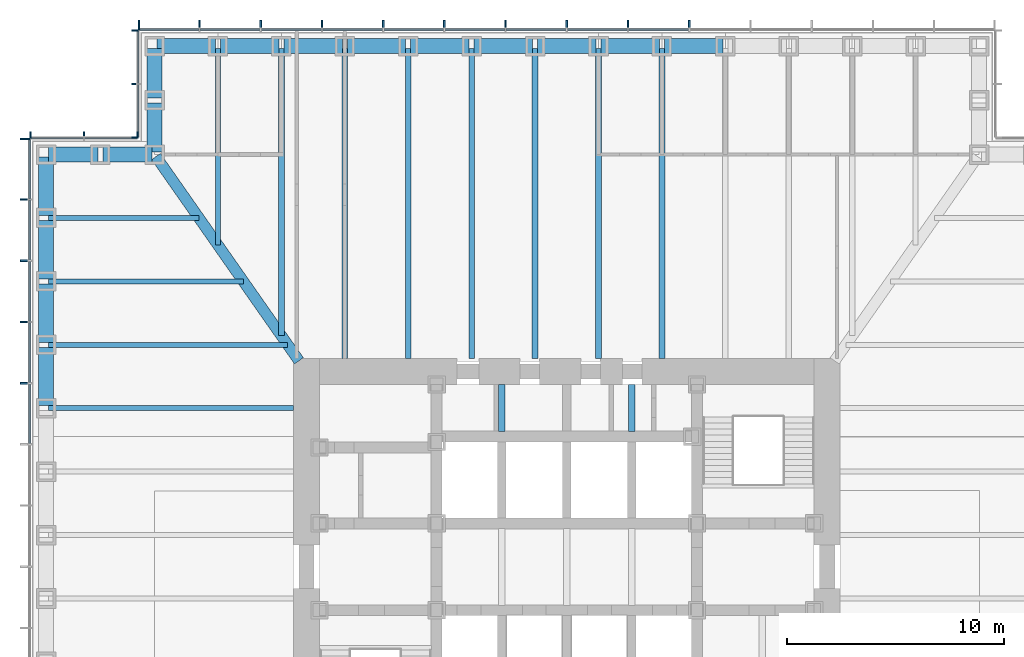
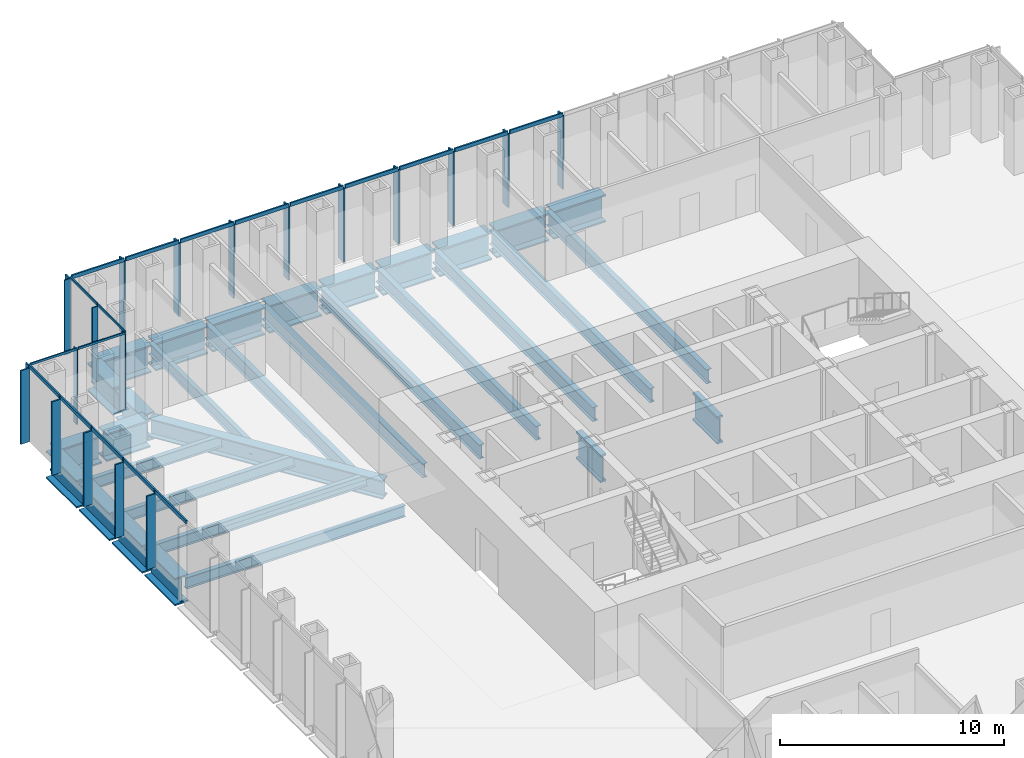
# One storey, part 5 of 16: 39 members, 32 beams, 4 elements without a shape of their own.
"""IFC4 building model written with IfcOpenShell, lengths in metres."""

from ifc_helpers import new_model, si_unit, direction, frame, origin, origin_2d, place, context, subcontext, project, spatial, rectangle, i_section, extrude, material, material_profile, profile_set, type_object, element, aggregate, save


model = new_model("IFC4")

# Units and contexts
model_context = context("Model", 3, precision=1e-05, world=origin(), true_north=direction((0.0, 1.0)))
body_context = subcontext(model_context, "Body", "Model", "MODEL_VIEW")
ifc_project = project(units=[si_unit("LENGTHUNIT", "METRE"), si_unit("AREAUNIT", "SQUARE_METRE"), si_unit("VOLUMEUNIT", "CUBIC_METRE"), si_unit("PLANEANGLEUNIT", "RADIAN"), si_unit("MASSUNIT", "GRAM", prefix="KILO")], contexts=[model_context])

# Site, building, storey
site_placement = place(None, origin())
site = spatial("IfcSite", under=ifc_project, at=site_placement, CompositionType="ELEMENT")
building_placement = place(site_placement, origin())
building = spatial("IfcBuilding", under=site, at=building_placement, Name="Daluyong Arena Tower", CompositionType="ELEMENT")
storey_placement = place(building_placement, frame((0.0, 0.0, 93.699951171875)))
storey = spatial("IfcBuildingStorey", under=building, at=storey_placement, Name="L20", CompositionType="ELEMENT", Elevation=93.699951171875)

# Curtain wall, members
ifc_material_1 = material(Name="Bronze anodised aluminium and glass", Category="aluminium")
curtain_wall_type_1 = type_object("IfcCurtainWallType", Name="Curtain wall CW1", PredefinedType="USERDEFINED", material=ifc_material_1)
curtain_wall_1_placement = place(storey_placement, origin())
curtain_wall_1 = element("IfcCurtainWall", 1, at=curtain_wall_1_placement, inside=storey, type_object=curtain_wall_type_1, Name="curtain wall L20 N", ObjectType="UNITISED CURTAIN WALL", PredefinedType="USERDEFINED")
ifc_material_2 = material(Name="Bronze anodised aluminium fin", Category="aluminium")
ifc_material_profile_1 = material_profile(ifc_material_2, rectangle(XDim=0.449951171875, YDim=0.080078125, at=origin_2d()))
ifc_profile_set_1 = profile_set([ifc_material_profile_1], Name="Bronze anodised aluminium fin")
member_type_1 = type_object("IfcMemberType", Name="CW1 bronze fin 450x80", PredefinedType="MULLION", material=ifc_profile_set_1)
member_1_placement = place(storey_placement, frame((61.642822265625, 104.97509765625, 0.0), z_axis=(0.0, 0.0, 1.0), x_axis=(0.0, -1.0, 0.0)))
member_1 = element("IfcMember", 2, at=member_1_placement, type_object=member_type_1, Name="curtain wall L20 N fin 6", PredefinedType="MULLION", context=body_context, shape_type="SweptSolid", body=[
    extrude(rectangle(XDim=0.449951171875, YDim=0.080078125, at=origin_2d()), origin(), (0.0, 0.0, 1.0), 4.0),
])
member_2_placement = place(storey_placement, frame((58.821533203125, 104.97509765625, 0.0), z_axis=(0.0, 0.0, 1.0), x_axis=(0.0, -1.0, 0.0)))
member_2 = element("IfcMember", 3, at=member_2_placement, type_object=member_type_1, Name="curtain wall L20 N fin 7", PredefinedType="MULLION", context=body_context, shape_type="SweptSolid", body=[
    extrude(rectangle(XDim=0.449951171875, YDim=0.080078125, at=origin_2d()), origin(), (0.0, 0.0, 1.0), 4.0),
])
member_3_placement = place(storey_placement, frame((56.0, 104.97509765625, 0.0), z_axis=(0.0, 0.0, 1.0), x_axis=(0.0, -1.0, 0.0)))
member_3 = element("IfcMember", 4, at=member_3_placement, type_object=member_type_1, Name="curtain wall L20 N fin 8", PredefinedType="MULLION", context=body_context, shape_type="SweptSolid", body=[
    extrude(rectangle(XDim=0.449951171875, YDim=0.080078125, at=origin_2d()), origin(), (0.0, 0.0, 1.0), 4.0),
])
member_4_placement = place(storey_placement, frame((53.178466796875, 104.97509765625, 0.0), z_axis=(0.0, 0.0, 1.0), x_axis=(0.0, -1.0, 0.0)))
member_4 = element("IfcMember", 5, at=member_4_placement, type_object=member_type_1, Name="curtain wall L20 N fin 9", PredefinedType="MULLION", context=body_context, shape_type="SweptSolid", body=[
    extrude(rectangle(XDim=0.449951171875, YDim=0.080078125, at=origin_2d()), origin(), (0.0, 0.0, 1.0), 4.0),
])
member_5_placement = place(storey_placement, frame((50.357177734375, 104.97509765625, 0.0), z_axis=(0.0, 0.0, 1.0), x_axis=(0.0, -1.0, 0.0)))
member_5 = element("IfcMember", 6, at=member_5_placement, type_object=member_type_1, Name="curtain wall L20 N fin 10", PredefinedType="MULLION", context=body_context, shape_type="SweptSolid", body=[
    extrude(rectangle(XDim=0.449951171875, YDim=0.080078125, at=origin_2d()), origin(), (0.0, 0.0, 1.0), 4.0),
])
member_6_placement = place(storey_placement, frame((47.53564453125, 104.97509765625, 0.0), z_axis=(0.0, 0.0, 1.0), x_axis=(0.0, -1.0, 0.0)))
member_6 = element("IfcMember", 7, at=member_6_placement, type_object=member_type_1, Name="curtain wall L20 N fin 11", PredefinedType="MULLION", context=body_context, shape_type="SweptSolid", body=[
    extrude(rectangle(XDim=0.449951171875, YDim=0.080078125, at=origin_2d()), origin(), (0.0, 0.0, 1.0), 4.0),
])
member_7_placement = place(storey_placement, frame((44.71435546875, 104.97509765625, 0.0), z_axis=(0.0, 0.0, 1.0), x_axis=(0.0, -1.0, 0.0)))
member_7 = element("IfcMember", 8, at=member_7_placement, type_object=member_type_1, Name="curtain wall L20 N fin 12", PredefinedType="MULLION", context=body_context, shape_type="SweptSolid", body=[
    extrude(rectangle(XDim=0.449951171875, YDim=0.080078125, at=origin_2d()), origin(), (0.0, 0.0, 1.0), 4.0),
])
member_8_placement = place(storey_placement, frame((41.892822265625, 104.97509765625, 0.0), z_axis=(0.0, 0.0, 1.0), x_axis=(0.0, -1.0, 0.0)))
member_8 = element("IfcMember", 9, at=member_8_placement, type_object=member_type_1, Name="curtain wall L20 N fin 13", PredefinedType="MULLION", context=body_context, shape_type="SweptSolid", body=[
    extrude(rectangle(XDim=0.449951171875, YDim=0.080078125, at=origin_2d()), origin(), (0.0, 0.0, 1.0), 4.0),
])
member_9_placement = place(storey_placement, frame((39.071533203125, 104.97509765625, 0.0), z_axis=(0.0, 0.0, 1.0), x_axis=(0.0, -1.0, 0.0)))
member_9 = element("IfcMember", 10, at=member_9_placement, type_object=member_type_1, Name="curtain wall L20 N fin 14", PredefinedType="MULLION", context=body_context, shape_type="SweptSolid", body=[
    extrude(rectangle(XDim=0.449951171875, YDim=0.080078125, at=origin_2d()), origin(), (0.0, 0.0, 1.0), 4.0),
])
member_10_placement = place(storey_placement, frame((36.2900390625, 104.97509765625, 0.0), z_axis=(0.0, 0.0, 1.0), x_axis=(0.0, -1.0, 0.0)))
member_10 = element("IfcMember", 11, at=member_10_placement, type_object=member_type_1, Name="curtain wall L20 N fin 15", PredefinedType="MULLION", context=body_context, shape_type="SweptSolid", body=[
    extrude(rectangle(XDim=0.449951171875, YDim=0.080078125, at=origin_2d()), origin(), (0.0, 0.0, 1.0), 4.0),
])

curtain_wall_2_placement = place(storey_placement, origin())
curtain_wall_2 = element("IfcCurtainWall", 12, at=curtain_wall_2_placement, inside=storey, type_object=curtain_wall_type_1, Name="curtain wall L20 W", ObjectType="UNITISED CURTAIN WALL", PredefinedType="USERDEFINED")
member_11_placement = place(storey_placement, frame((31.02490234375, 99.7099609375, 0.0), z_axis=(0.0, 0.0, 1.0), x_axis=(1.0, 0.0, 0.0)))
member_11 = element("IfcMember", 13, at=member_11_placement, type_object=member_type_1, Name="curtain wall L20 W fin 1", PredefinedType="MULLION", context=body_context, shape_type="SweptSolid", body=[
    extrude(rectangle(XDim=0.449951171875, YDim=0.080078125, at=origin_2d()), origin(), (0.0, 0.0, 1.0), 4.0),
])
member_12_placement = place(storey_placement, frame((31.02490234375, 96.928466796875, 0.0), z_axis=(0.0, 0.0, 1.0), x_axis=(1.0, 0.0, 0.0)))
member_12 = element("IfcMember", 14, at=member_12_placement, type_object=member_type_1, Name="curtain wall L20 W fin 2", PredefinedType="MULLION", context=body_context, shape_type="SweptSolid", body=[
    extrude(rectangle(XDim=0.449951171875, YDim=0.080078125, at=origin_2d()), origin(), (0.0, 0.0, 1.0), 4.0),
])
member_13_placement = place(storey_placement, frame((31.02490234375, 94.107177734375, 0.0), z_axis=(0.0, 0.0, 1.0), x_axis=(1.0, 0.0, 0.0)))
member_13 = element("IfcMember", 15, at=member_13_placement, type_object=member_type_1, Name="curtain wall L20 W fin 3", PredefinedType="MULLION", context=body_context, shape_type="SweptSolid", body=[
    extrude(rectangle(XDim=0.449951171875, YDim=0.080078125, at=origin_2d()), origin(), (0.0, 0.0, 1.0), 4.0),
])
member_14_placement = place(storey_placement, frame((31.02490234375, 91.28564453125, 0.0), z_axis=(0.0, 0.0, 1.0), x_axis=(1.0, 0.0, 0.0)))
member_14 = element("IfcMember", 16, at=member_14_placement, type_object=member_type_1, Name="curtain wall L20 W fin 4", PredefinedType="MULLION", context=body_context, shape_type="SweptSolid", body=[
    extrude(rectangle(XDim=0.449951171875, YDim=0.080078125, at=origin_2d()), origin(), (0.0, 0.0, 1.0), 4.0),
])
member_15_placement = place(storey_placement, frame((31.02490234375, 88.46435546875, 0.0), z_axis=(0.0, 0.0, 1.0), x_axis=(1.0, 0.0, 0.0)))
member_15 = element("IfcMember", 17, at=member_15_placement, type_object=member_type_1, Name="curtain wall L20 W fin 5", PredefinedType="MULLION", context=body_context, shape_type="SweptSolid", body=[
    extrude(rectangle(XDim=0.449951171875, YDim=0.080078125, at=origin_2d()), origin(), (0.0, 0.0, 1.0), 4.0),
])

# Member
ifc_material_3 = material(Name="Bronze anodised aluminium", Category="aluminium")
ifc_material_profile_2 = material_profile(ifc_material_3, rectangle(XDim=0.080078125, YDim=0.199951171875, at=origin_2d()))
ifc_profile_set_2 = profile_set([ifc_material_profile_2], Name="Bronze anodised aluminium")
member_type_2 = type_object("IfcMemberType", Name="CW1 stack transom 200x80", PredefinedType="USERDEFINED", material=ifc_profile_set_2)
member_16_placement = place(storey_placement, frame((61.602783203125, 104.75, 4.10009765625), z_axis=(-1.0, 0.0, 0.0), x_axis=(0.0, -1.0, 0.0)))
member_16 = element("IfcMember", 18, at=member_16_placement, type_object=member_type_2, Name="curtain wall L20 N transom 6", ObjectType="TRANSOM", PredefinedType="USERDEFINED", context=body_context, shape_type="SweptSolid", body=[
    extrude(rectangle(XDim=0.080078125, YDim=0.199951171875, at=origin_2d()), origin(), (0.0, 0.0, 1.0), 2.741455078125),
])

member_17_placement = place(storey_placement, frame((58.781494140625, 104.75, 4.10009765625), z_axis=(-1.0, 0.0, 0.0), x_axis=(0.0, -1.0, 0.0)))
member_17 = element("IfcMember", 19, at=member_17_placement, type_object=member_type_2, Name="curtain wall L20 N transom 7", ObjectType="TRANSOM", PredefinedType="USERDEFINED", context=body_context, shape_type="SweptSolid", body=[
    extrude(rectangle(XDim=0.080078125, YDim=0.199951171875, at=origin_2d()), origin(), (0.0, 0.0, 1.0), 2.741455078125),
])

member_18_placement = place(storey_placement, frame((55.9599609375, 104.75, 4.10009765625), z_axis=(-1.0, 0.0, 0.0), x_axis=(0.0, -1.0, 0.0)))
member_18 = element("IfcMember", 20, at=member_18_placement, type_object=member_type_2, Name="curtain wall L20 N transom 8", ObjectType="TRANSOM", PredefinedType="USERDEFINED", context=body_context, shape_type="SweptSolid", body=[
    extrude(rectangle(XDim=0.080078125, YDim=0.199951171875, at=origin_2d()), origin(), (0.0, 0.0, 1.0), 2.741455078125),
])

member_19_placement = place(storey_placement, frame((53.138671875, 104.75, 4.10009765625), z_axis=(-1.0, 0.0, 0.0), x_axis=(0.0, -1.0, 0.0)))
member_19 = element("IfcMember", 21, at=member_19_placement, type_object=member_type_2, Name="curtain wall L20 N transom 9", ObjectType="TRANSOM", PredefinedType="USERDEFINED", context=body_context, shape_type="SweptSolid", body=[
    extrude(rectangle(XDim=0.080078125, YDim=0.199951171875, at=origin_2d()), origin(), (0.0, 0.0, 1.0), 2.741455078125),
])

member_20_placement = place(storey_placement, frame((50.317138671875, 104.75, 4.10009765625), z_axis=(-1.0, 0.0, 0.0), x_axis=(0.0, -1.0, 0.0)))
member_20 = element("IfcMember", 22, at=member_20_placement, type_object=member_type_2, Name="curtain wall L20 N transom 10", ObjectType="TRANSOM", PredefinedType="USERDEFINED", context=body_context, shape_type="SweptSolid", body=[
    extrude(rectangle(XDim=0.080078125, YDim=0.199951171875, at=origin_2d()), origin(), (0.0, 0.0, 1.0), 2.741455078125),
])

member_21_placement = place(storey_placement, frame((47.49560546875, 104.75, 4.10009765625), z_axis=(-1.0, 0.0, 0.0), x_axis=(0.0, -1.0, 0.0)))
member_21 = element("IfcMember", 23, at=member_21_placement, type_object=member_type_2, Name="curtain wall L20 N transom 11", ObjectType="TRANSOM", PredefinedType="USERDEFINED", context=body_context, shape_type="SweptSolid", body=[
    extrude(rectangle(XDim=0.080078125, YDim=0.199951171875, at=origin_2d()), origin(), (0.0, 0.0, 1.0), 2.7412109375),
])

member_22_placement = place(storey_placement, frame((44.67431640625, 104.75, 4.10009765625), z_axis=(-1.0, 0.0, 0.0), x_axis=(0.0, -1.0, 0.0)))
member_22 = element("IfcMember", 24, at=member_22_placement, type_object=member_type_2, Name="curtain wall L20 N transom 12", ObjectType="TRANSOM", PredefinedType="USERDEFINED", context=body_context, shape_type="SweptSolid", body=[
    extrude(rectangle(XDim=0.080078125, YDim=0.199951171875, at=origin_2d()), origin(), (0.0, 0.0, 1.0), 2.741455078125),
])

member_23_placement = place(storey_placement, frame((41.852783203125, 104.75, 4.10009765625), z_axis=(-1.0, 0.0, 0.0), x_axis=(0.0, -1.0, 0.0)))
member_23 = element("IfcMember", 25, at=member_23_placement, type_object=member_type_2, Name="curtain wall L20 N transom 13", ObjectType="TRANSOM", PredefinedType="USERDEFINED", context=body_context, shape_type="SweptSolid", body=[
    extrude(rectangle(XDim=0.080078125, YDim=0.199951171875, at=origin_2d()), origin(), (0.0, 0.0, 1.0), 2.741455078125),
])

member_24_placement = place(storey_placement, frame((39.031494140625, 104.75, 4.10009765625), z_axis=(-1.0, 0.0, 0.0), x_axis=(0.0, -1.0, 0.0)))
member_24 = element("IfcMember", 26, at=member_24_placement, type_object=member_type_2, Name="curtain wall L20 N transom 14", ObjectType="TRANSOM", PredefinedType="USERDEFINED", context=body_context, shape_type="SweptSolid", body=[
    extrude(rectangle(XDim=0.080078125, YDim=0.199951171875, at=origin_2d()), origin(), (0.0, 0.0, 1.0), 2.701416015625),
])

aggregate(curtain_wall_1, [member_1, member_2, member_3, member_4, member_5, member_6, member_7, member_8, member_9, member_10, member_16, member_17, member_18, member_19, member_20, member_21, member_22, member_23, member_24])

member_25_placement = place(storey_placement, frame((31.25, 99.669921875, 4.10009765625), z_axis=(0.0, -1.0, 0.0), x_axis=(1.0, 0.0, 0.0)))
member_25 = element("IfcMember", 27, at=member_25_placement, type_object=member_type_2, Name="curtain wall L20 W transom 1", ObjectType="TRANSOM", PredefinedType="USERDEFINED", context=body_context, shape_type="SweptSolid", body=[
    extrude(rectangle(XDim=0.080078125, YDim=0.199951171875, at=origin_2d()), origin(), (0.0, 0.0, 1.0), 2.701416015625),
])

member_26_placement = place(storey_placement, frame((31.25, 96.888671875, 4.10009765625), z_axis=(0.0, -1.0, 0.0), x_axis=(1.0, 0.0, 0.0)))
member_26 = element("IfcMember", 28, at=member_26_placement, type_object=member_type_2, Name="curtain wall L20 W transom 2", ObjectType="TRANSOM", PredefinedType="USERDEFINED", context=body_context, shape_type="SweptSolid", body=[
    extrude(rectangle(XDim=0.080078125, YDim=0.199951171875, at=origin_2d()), origin(), (0.0, 0.0, 1.0), 2.741455078125),
])

member_27_placement = place(storey_placement, frame((31.25, 94.067138671875, 4.10009765625), z_axis=(0.0, -1.0, 0.0), x_axis=(1.0, 0.0, 0.0)))
member_27 = element("IfcMember", 29, at=member_27_placement, type_object=member_type_2, Name="curtain wall L20 W transom 3", ObjectType="TRANSOM", PredefinedType="USERDEFINED", context=body_context, shape_type="SweptSolid", body=[
    extrude(rectangle(XDim=0.080078125, YDim=0.199951171875, at=origin_2d()), origin(), (0.0, 0.0, 1.0), 2.741455078125),
])

member_28_placement = place(storey_placement, frame((31.25, 91.24560546875, 4.10009765625), z_axis=(0.0, -1.0, 0.0), x_axis=(1.0, 0.0, 0.0)))
member_28 = element("IfcMember", 30, at=member_28_placement, type_object=member_type_2, Name="curtain wall L20 W transom 4", ObjectType="TRANSOM", PredefinedType="USERDEFINED", context=body_context, shape_type="SweptSolid", body=[
    extrude(rectangle(XDim=0.080078125, YDim=0.199951171875, at=origin_2d()), origin(), (0.0, 0.0, 1.0), 2.7412109375),
])

member_29_placement = place(storey_placement, frame((31.25, 88.42431640625, 4.10009765625), z_axis=(0.0, -1.0, 0.0), x_axis=(1.0, 0.0, 0.0)))
member_29 = element("IfcMember", 31, at=member_29_placement, type_object=member_type_2, Name="curtain wall L20 W transom 5", ObjectType="TRANSOM", PredefinedType="USERDEFINED", context=body_context, shape_type="SweptSolid", body=[
    extrude(rectangle(XDim=0.080078125, YDim=0.199951171875, at=origin_2d()), origin(), (0.0, 0.0, 1.0), 2.741455078125),
])

aggregate(curtain_wall_2, [member_11, member_12, member_13, member_14, member_15, member_25, member_26, member_27, member_28, member_29])

# Curtain wall, members
ifc_material_4 = material(Name="Bronze anodised aluminium and glass", Category="aluminium")
curtain_wall_type_2 = type_object("IfcCurtainWallType", Name="Curtain wall CW7", PredefinedType="USERDEFINED", material=ifc_material_4)
curtain_wall_3_placement = place(storey_placement, origin())
curtain_wall_3 = element("IfcCurtainWall", 32, at=curtain_wall_3_placement, inside=storey, type_object=curtain_wall_type_2, Name="curtain wall L20 NW-W", ObjectType="UNITISED CURTAIN WALL", PredefinedType="USERDEFINED")
ifc_material_5 = material(Name="Bronze anodised aluminium fin", Category="aluminium")
ifc_material_profile_3 = material_profile(ifc_material_5, rectangle(XDim=0.300048828125, YDim=0.06005859375, at=origin_2d()))
ifc_profile_set_3 = profile_set([ifc_material_profile_3], Name="Bronze anodised aluminium fin")
member_type_3 = type_object("IfcMemberType", Name="CW7 bronze fin 300x60", PredefinedType="MULLION", material=ifc_profile_set_3)
member_30_placement = place(storey_placement, frame((36.10009765625, 104.719970703125, 0.0), z_axis=(0.0, 0.0, 1.0), x_axis=(1.0, 0.0, 0.0)))
member_30 = element("IfcMember", 33, at=member_30_placement, type_object=member_type_3, Name="curtain wall L20 NW-W fin 1", PredefinedType="MULLION", context=body_context, shape_type="SweptSolid", body=[
    extrude(rectangle(XDim=0.300048828125, YDim=0.06005859375, at=origin_2d()), origin(), (0.0, 0.0, 1.0), 4.080078125),
])
member_31_placement = place(storey_placement, frame((36.10009765625, 102.25, 0.0), z_axis=(0.0, 0.0, 1.0), x_axis=(1.0, 0.0, 0.0)))
member_31 = element("IfcMember", 34, at=member_31_placement, type_object=member_type_3, Name="curtain wall L20 NW-W fin 2", PredefinedType="MULLION", context=body_context, shape_type="SweptSolid", body=[
    extrude(rectangle(XDim=0.300048828125, YDim=0.06005859375, at=origin_2d()), origin(), (0.0, 0.0, 1.0), 4.080078125),
])
member_32_placement = place(storey_placement, frame((36.10009765625, 99.780029296875, 0.0), z_axis=(0.0, 0.0, 1.0), x_axis=(1.0, 0.0, 0.0)))
member_32 = element("IfcMember", 35, at=member_32_placement, type_object=member_type_3, Name="curtain wall L20 NW-W fin 3", PredefinedType="MULLION", context=body_context, shape_type="SweptSolid", body=[
    extrude(rectangle(XDim=0.300048828125, YDim=0.06005859375, at=origin_2d()), origin(), (0.0, 0.0, 1.0), 4.080078125),
])

curtain_wall_4_placement = place(storey_placement, origin())
curtain_wall_4 = element("IfcCurtainWall", 36, at=curtain_wall_4_placement, inside=storey, type_object=curtain_wall_type_2, Name="curtain wall L20 NW-N", ObjectType="UNITISED CURTAIN WALL", PredefinedType="USERDEFINED")
member_33_placement = place(storey_placement, frame((36.219970703125, 99.89990234375, 0.0), z_axis=(0.0, 0.0, 1.0), x_axis=(0.0, -1.0, 0.0)))
member_33 = element("IfcMember", 37, at=member_33_placement, type_object=member_type_3, Name="curtain wall L20 NW-N fin 1", PredefinedType="MULLION", context=body_context, shape_type="SweptSolid", body=[
    extrude(rectangle(XDim=0.300048828125, YDim=0.06005859375, at=origin_2d()), origin(), (0.0, 0.0, 1.0), 4.080078125),
])
member_34_placement = place(storey_placement, frame((33.75, 99.89990234375, 0.0), z_axis=(0.0, 0.0, 1.0), x_axis=(0.0, -1.0, 0.0)))
member_34 = element("IfcMember", 38, at=member_34_placement, type_object=member_type_3, Name="curtain wall L20 NW-N fin 2", PredefinedType="MULLION", context=body_context, shape_type="SweptSolid", body=[
    extrude(rectangle(XDim=0.300048828125, YDim=0.06005859375, at=origin_2d()), origin(), (0.0, 0.0, 1.0), 4.080078125),
])
member_35_placement = place(storey_placement, frame((31.280029296875, 99.89990234375, 0.0), z_axis=(0.0, 0.0, 1.0), x_axis=(0.0, -1.0, 0.0)))
member_35 = element("IfcMember", 39, at=member_35_placement, type_object=member_type_3, Name="curtain wall L20 NW-N fin 3", PredefinedType="MULLION", context=body_context, shape_type="SweptSolid", body=[
    extrude(rectangle(XDim=0.300048828125, YDim=0.06005859375, at=origin_2d()), origin(), (0.0, 0.0, 1.0), 4.080078125),
])

# Member
ifc_material_6 = material(Name="Bronze anodised aluminium", Category="aluminium")
ifc_material_profile_4 = material_profile(ifc_material_6, rectangle(XDim=0.06005859375, YDim=0.1201171875, at=origin_2d()))
ifc_profile_set_4 = profile_set([ifc_material_profile_4], Name="Bronze anodised aluminium")
member_type_4 = type_object("IfcMemberType", Name="CW7 stack transom 120x60", PredefinedType="USERDEFINED", material=ifc_profile_set_4)
member_36_placement = place(storey_placement, frame((36.25, 104.68994140625, 4.14013671875), z_axis=(0.0, -1.0, 0.0), x_axis=(1.0, 0.0, 0.0)))
member_36 = element("IfcMember", 40, at=member_36_placement, type_object=member_type_4, Name="curtain wall L20 NW-W transom 1", ObjectType="TRANSOM", PredefinedType="USERDEFINED", context=body_context, shape_type="SweptSolid", body=[
    extrude(rectangle(XDim=0.06005859375, YDim=0.1201171875, at=origin_2d()), origin(), (0.0, 0.0, 1.0), 2.409912109375),
])

member_37_placement = place(storey_placement, frame((36.25, 102.219970703125, 4.14013671875), z_axis=(0.0, -1.0, 0.0), x_axis=(1.0, 0.0, 0.0)))
member_37 = element("IfcMember", 41, at=member_37_placement, type_object=member_type_4, Name="curtain wall L20 NW-W transom 2", ObjectType="TRANSOM", PredefinedType="USERDEFINED", context=body_context, shape_type="SweptSolid", body=[
    extrude(rectangle(XDim=0.06005859375, YDim=0.1201171875, at=origin_2d()), origin(), (0.0, 0.0, 1.0), 2.409912109375),
])

aggregate(curtain_wall_3, [member_30, member_31, member_32, member_36, member_37])

member_38_placement = place(storey_placement, frame((36.18994140625, 99.75, 4.14013671875), z_axis=(-1.0, 0.0, 0.0), x_axis=(0.0, -1.0, 0.0)))
member_38 = element("IfcMember", 42, at=member_38_placement, type_object=member_type_4, Name="curtain wall L20 NW-N transom 1", ObjectType="TRANSOM", PredefinedType="USERDEFINED", context=body_context, shape_type="SweptSolid", body=[
    extrude(rectangle(XDim=0.06005859375, YDim=0.1201171875, at=origin_2d()), origin(), (0.0, 0.0, 1.0), 2.409912109375),
])

member_39_placement = place(storey_placement, frame((33.719970703125, 99.75, 4.14013671875), z_axis=(-1.0, 0.0, 0.0), x_axis=(0.0, -1.0, 0.0)))
member_39 = element("IfcMember", 43, at=member_39_placement, type_object=member_type_4, Name="curtain wall L20 NW-N transom 2", ObjectType="TRANSOM", PredefinedType="USERDEFINED", context=body_context, shape_type="SweptSolid", body=[
    extrude(rectangle(XDim=0.06005859375, YDim=0.1201171875, at=origin_2d()), origin(), (0.0, 0.0, 1.0), 2.409912109375),
])

aggregate(curtain_wall_4, [member_33, member_34, member_35, member_38, member_39])

# Beams
ifc_material_7 = material(Name="Steel ASTM A572 Grade 50", Category="steel")
ifc_material_profile_5 = material_profile(ifc_material_7, i_section(OverallWidth=0.5, OverallDepth=1.0, WebThickness=0.03, FlangeThickness=0.06, at=origin_2d()))
ifc_profile_set_5 = profile_set([ifc_material_profile_5], Name="Steel ASTM A572 Grade 50")
beam_type_1 = type_object("IfcBeamType", Name="Corner girder TB1000X500", PredefinedType="BEAM", material=ifc_profile_set_5)
beam_1_placement = place(storey_placement, frame((37.06591796875, 98.90576171875, -0.659912109375), z_axis=(0.573466621875, -0.819228926244, 0.0), x_axis=(0.819228926244, 0.573466621875, 0.0)))
element("IfcBeam", 44, at=beam_1_placement, inside=storey, type_object=beam_type_1, Name="corner girder DG2", PredefinedType="BEAM", context=body_context, shape_type="SweptSolid", body=[
    extrude(i_section(OverallWidth=0.5, OverallDepth=1.0, WebThickness=0.03, FlangeThickness=0.06, at=origin_2d()), origin(), (0.0, 0.0, 1.0), 11.49169921875),
])
ifc_material_8 = material(Name="Steel ASTM A992 Grade 50", Category="steel")
ifc_material_profile_6 = material_profile(ifc_material_8, i_section(OverallWidth=0.22900390625, OverallDepth=0.612060546875, WebThickness=0.011962890625, FlangeThickness=0.01953125, at=origin_2d()))
ifc_profile_set_6 = profile_set([ifc_material_profile_6], Name="Steel ASTM A992 Grade 50")
beam_type_2 = type_object("IfcBeamType", Name="Floor beam W24X84", PredefinedType="BEAM", material=ifc_profile_set_6)
beam_2_placement = place(storey_placement, frame((39.923095703125, 103.885009765625, -0.466064453125), z_axis=(0.0, -1.0, 0.0), x_axis=(1.0, 0.0, 0.0)))
element("IfcBeam", 45, at=beam_2_placement, inside=storey, type_object=beam_type_2, Name="floor beam FB3", PredefinedType="BEAM", context=body_context, shape_type="SweptSolid", body=[
    extrude(i_section(OverallWidth=0.22900390625, OverallDepth=0.612060546875, WebThickness=0.011962890625, FlangeThickness=0.01953125, at=origin_2d()), origin(), (0.0, 0.0, 1.0), 9.060791015625),
])
beam_3_placement = place(storey_placement, frame((32.114990234375, 96.076904296875, -0.466064453125), z_axis=(1.0, 0.0, 0.0), x_axis=(0.0, 1.0, 0.0)))
element("IfcBeam", 46, at=beam_3_placement, inside=storey, type_object=beam_type_2, Name="floor beam FB3", PredefinedType="BEAM", context=body_context, shape_type="SweptSolid", body=[
    extrude(i_section(OverallWidth=0.22900390625, OverallDepth=0.612060546875, WebThickness=0.011962890625, FlangeThickness=0.01953125, at=origin_2d()), origin(), (0.0, 0.0, 1.0), 6.93115234375),
])
beam_4_placement = place(storey_placement, frame((32.114990234375, 93.15380859375, -0.466064453125), z_axis=(1.0, 0.0, 0.0), x_axis=(0.0, 1.0, 0.0)))
element("IfcBeam", 47, at=beam_4_placement, inside=storey, type_object=beam_type_2, Name="floor beam FB3", PredefinedType="BEAM", context=body_context, shape_type="SweptSolid", body=[
    extrude(i_section(OverallWidth=0.22900390625, OverallDepth=0.612060546875, WebThickness=0.011962890625, FlangeThickness=0.01953125, at=origin_2d()), origin(), (0.0, 0.0, 1.0), 8.977294921875),
])
beam_5_placement = place(storey_placement, frame((32.114990234375, 90.230712890625, -0.466064453125), z_axis=(1.0, 0.0, 0.0), x_axis=(0.0, 1.0, 0.0)))
element("IfcBeam", 48, at=beam_5_placement, inside=storey, type_object=beam_type_2, Name="floor beam FB3", PredefinedType="BEAM", context=body_context, shape_type="SweptSolid", body=[
    extrude(i_section(OverallWidth=0.22900390625, OverallDepth=0.612060546875, WebThickness=0.011962890625, FlangeThickness=0.01953125, at=origin_2d()), origin(), (0.0, 0.0, 1.0), 11.0234375),
])
beam_6_placement = place(storey_placement, frame((32.114990234375, 87.3076171875, -0.466064453125), z_axis=(1.0, 0.0, 0.0), x_axis=(0.0, 1.0, 0.0)))
element("IfcBeam", 49, at=beam_6_placement, inside=storey, type_object=beam_type_2, Name="floor beam FB3", PredefinedType="BEAM", context=body_context, shape_type="SweptSolid", body=[
    extrude(i_section(OverallWidth=0.22900390625, OverallDepth=0.612060546875, WebThickness=0.011962890625, FlangeThickness=0.01953125, at=origin_2d()), origin(), (0.0, 0.0, 1.0), 11.284912109375),
])
ifc_material_9 = material(Name="Steel ASTM A992 Grade 50", Category="steel")
ifc_material_profile_7 = material_profile(ifc_material_9, i_section(OverallWidth=0.2666015625, OverallDepth=0.761962890625, WebThickness=0.014404296875, FlangeThickness=0.021484375, at=origin_2d()))
ifc_profile_set_7 = profile_set([ifc_material_profile_7], Name="Steel ASTM A992 Grade 50")
beam_type_3 = type_object("IfcBeamType", Name="Floor beam W30X116", PredefinedType="BEAM", material=ifc_profile_set_7)
for number, where, z_axis, x_axis, name in (
    (50, (60.384521484375, 103.885009765625, -0.541015625), (0.0, -1.0, 0.0), (1.0, 0.0, 0.0), "floor beam FB4"),
    (51, (57.46142578125, 103.885009765625, -0.541015625), (0.0, -1.0, 0.0), (1.0, 0.0, 0.0), "floor beam FB4"),
    (52, (54.53857421875, 103.885009765625, -0.541015625), (0.0, -1.0, 0.0), (1.0, 0.0, 0.0), "floor beam FB4"),
    (53, (51.615478515625, 103.885009765625, -0.541015625), (0.0, -1.0, 0.0), (1.0, 0.0, 0.0), "floor beam FB4"),
    (54, (48.6923828125, 103.885009765625, -0.541015625), (0.0, -1.0, 0.0), (1.0, 0.0, 0.0), "floor beam FB4"),
    (55, (45.769287109375, 103.885009765625, -0.541015625), (0.0, -1.0, 0.0), (1.0, 0.0, 0.0), "floor beam FB4"),
):
    element("IfcBeam", number, at=place(storey_placement, frame(where, z_axis=z_axis, x_axis=x_axis)), inside=storey, type_object=beam_type_3, Name=name, PredefinedType="BEAM", context=body_context, shape_type="SweptSolid", body=[
        extrude(i_section(OverallWidth=0.2666015625, OverallDepth=0.761962890625, WebThickness=0.014404296875, FlangeThickness=0.021484375, at=origin_2d()), origin(), (0.0, 0.0, 1.0), 14.284912109375),
    ])
beam_7_placement = place(storey_placement, frame((42.84619140625, 103.885009765625, -0.541015625), z_axis=(0.0, -1.0, 0.0), x_axis=(1.0, 0.0, 0.0)))
element("IfcBeam", 56, at=beam_7_placement, inside=storey, type_object=beam_type_3, Name="floor beam FB4", PredefinedType="BEAM", context=body_context, shape_type="SweptSolid", body=[
    extrude(i_section(OverallWidth=0.2666015625, OverallDepth=0.761962890625, WebThickness=0.014404296875, FlangeThickness=0.021484375, at=origin_2d()), origin(), (0.0, 0.0, 1.0), 13.236572265625),
])
ifc_material_10 = material(Name="Steel ASTM A572 Grade 50", Category="steel")
ifc_material_profile_8 = material_profile(ifc_material_10, i_section(OverallWidth=0.300048828125, OverallDepth=1.5, WebThickness=0.04, FlangeThickness=0.1, at=origin_2d()))
ifc_profile_set_8 = profile_set([ifc_material_profile_8], Name="Steel ASTM A572 Grade 50")
beam_type_4 = type_object("IfcBeamType", Name="Lift divider beam PG1500X300", PredefinedType="BEAM", material=ifc_profile_set_8)
for number, where, z_axis, x_axis, name in (
    (57, (53.0, 86.22509765625, -0.909912109375), (0.0, 1.0, 0.0), (-1.0, 0.0, 0.0), "lift divider beam DB2"),
    (58, (59.0, 86.22509765625, -0.909912109375), (0.0, 1.0, 0.0), (-1.0, 0.0, 0.0), "lift divider beam DB2"),
):
    element("IfcBeam", number, at=place(storey_placement, frame(where, z_axis=z_axis, x_axis=x_axis)), inside=storey, type_object=beam_type_4, Name=name, PredefinedType="BEAM", context=body_context, shape_type="SweptSolid", body=[
        extrude(i_section(OverallWidth=0.300048828125, OverallDepth=1.5, WebThickness=0.04, FlangeThickness=0.1, at=origin_2d()), origin(), (0.0, 0.0, 1.0), 2.1748046875),
    ])
ifc_material_11 = material(Name="Steel ASTM A572 Grade 50", Category="steel")
ifc_material_profile_9 = material_profile(ifc_material_11, i_section(OverallWidth=0.699951171875, OverallDepth=1.5, WebThickness=0.04, FlangeThickness=0.08, at=origin_2d()))
ifc_profile_set_9 = profile_set([ifc_material_profile_9], Name="Steel ASTM A572 Grade 50")
beam_type_5 = type_object("IfcBeamType", Name="Spandrel Z1 PG1500X700", PredefinedType="SPANDREL", material=ifc_profile_set_9)
for number, where, z_axis, x_axis, name in (
    (59, (63.192626953125, 104.0, -0.909912109375), (-1.0, 0.0, 0.0), (0.0, -1.0, 0.0), "spandrel z1 SB4"),
    (60, (60.26953125, 104.0, -0.909912109375), (-1.0, 0.0, 0.0), (0.0, -1.0, 0.0), "spandrel z1 SB4"),
):
    element("IfcBeam", number, at=place(storey_placement, frame(where, z_axis=z_axis, x_axis=x_axis)), inside=storey, type_object=beam_type_5, Name=name, PredefinedType="SPANDREL", context=body_context, shape_type="SweptSolid", body=[
        extrude(i_section(OverallWidth=0.699951171875, OverallDepth=1.5, WebThickness=0.04, FlangeThickness=0.08, at=origin_2d()), origin(), (0.0, 0.0, 1.0), 2.693115234375),
    ])
beam_8_placement = place(storey_placement, frame((57.346435546875, 104.0, -0.909912109375), z_axis=(-1.0, 0.0, 0.0), x_axis=(0.0, -1.0, 0.0)))
element("IfcBeam", 61, at=beam_8_placement, inside=storey, type_object=beam_type_5, Name="spandrel z1 SB4", PredefinedType="SPANDREL", context=body_context, shape_type="SweptSolid", body=[
    extrude(i_section(OverallWidth=0.699951171875, OverallDepth=1.5, WebThickness=0.04, FlangeThickness=0.08, at=origin_2d()), origin(), (0.0, 0.0, 1.0), 2.69287109375),
])
for number, where, z_axis, x_axis, name in (
    (62, (54.423583984375, 104.0, -0.909912109375), (-1.0, 0.0, 0.0), (0.0, -1.0, 0.0), "spandrel z1 SB4"),
    (63, (51.50048828125, 104.0, -0.909912109375), (-1.0, 0.0, 0.0), (0.0, -1.0, 0.0), "spandrel z1 SB4"),
    (64, (48.577392578125, 104.0, -0.909912109375), (-1.0, 0.0, 0.0), (0.0, -1.0, 0.0), "spandrel z1 SB4"),
    (65, (45.654296875, 104.0, -0.909912109375), (-1.0, 0.0, 0.0), (0.0, -1.0, 0.0), "spandrel z1 SB4"),
    (66, (42.731201171875, 104.0, -0.909912109375), (-1.0, 0.0, 0.0), (0.0, -1.0, 0.0), "spandrel z1 SB4"),
    (67, (39.80810546875, 104.0, -0.909912109375), (-1.0, 0.0, 0.0), (0.0, -1.0, 0.0), "spandrel z1 SB4"),
):
    element("IfcBeam", number, at=place(storey_placement, frame(where, z_axis=z_axis, x_axis=x_axis)), inside=storey, type_object=beam_type_5, Name=name, PredefinedType="SPANDREL", context=body_context, shape_type="SweptSolid", body=[
        extrude(i_section(OverallWidth=0.699951171875, OverallDepth=1.5, WebThickness=0.04, FlangeThickness=0.08, at=origin_2d()), origin(), (0.0, 0.0, 1.0), 2.693115234375),
    ])
for number, where, z_axis, x_axis, name in (
    (68, (37.0, 103.885009765625, -0.909912109375), (0.0, -1.0, 0.0), (1.0, 0.0, 0.0), "spandrel z1 SB4"),
    (69, (37.0, 101.385009765625, -0.909912109375), (0.0, -1.0, 0.0), (1.0, 0.0, 0.0), "spandrel z1 SB4"),
    (70, (36.885009765625, 99.0, -0.909912109375), (-1.0, 0.0, 0.0), (0.0, -1.0, 0.0), "spandrel z1 SB4"),
    (71, (34.385009765625, 99.0, -0.909912109375), (-1.0, 0.0, 0.0), (0.0, -1.0, 0.0), "spandrel z1 SB4"),
):
    element("IfcBeam", number, at=place(storey_placement, frame(where, z_axis=z_axis, x_axis=x_axis)), inside=storey, type_object=beam_type_5, Name=name, PredefinedType="SPANDREL", context=body_context, shape_type="SweptSolid", body=[
        extrude(i_section(OverallWidth=0.699951171875, OverallDepth=1.5, WebThickness=0.04, FlangeThickness=0.08, at=origin_2d()), origin(), (0.0, 0.0, 1.0), 2.27001953125),
    ])
for number, where, z_axis, x_axis, name in (
    (72, (32.0, 98.885009765625, -0.909912109375), (0.0, -1.0, 0.0), (1.0, 0.0, 0.0), "spandrel z1 SB4"),
    (73, (32.0, 95.9619140625, -0.909912109375), (0.0, -1.0, 0.0), (1.0, 0.0, 0.0), "spandrel z1 SB4"),
    (74, (32.0, 93.038818359375, -0.909912109375), (0.0, -1.0, 0.0), (1.0, 0.0, 0.0), "spandrel z1 SB4"),
    (75, (32.0, 90.11572265625, -0.909912109375), (0.0, -1.0, 0.0), (1.0, 0.0, 0.0), "spandrel z1 SB4"),
):
    element("IfcBeam", number, at=place(storey_placement, frame(where, z_axis=z_axis, x_axis=x_axis)), inside=storey, type_object=beam_type_5, Name=name, PredefinedType="SPANDREL", context=body_context, shape_type="SweptSolid", body=[
        extrude(i_section(OverallWidth=0.699951171875, OverallDepth=1.5, WebThickness=0.04, FlangeThickness=0.08, at=origin_2d()), origin(), (0.0, 0.0, 1.0), 2.693115234375),
    ])

save(model, "model.ifc")
